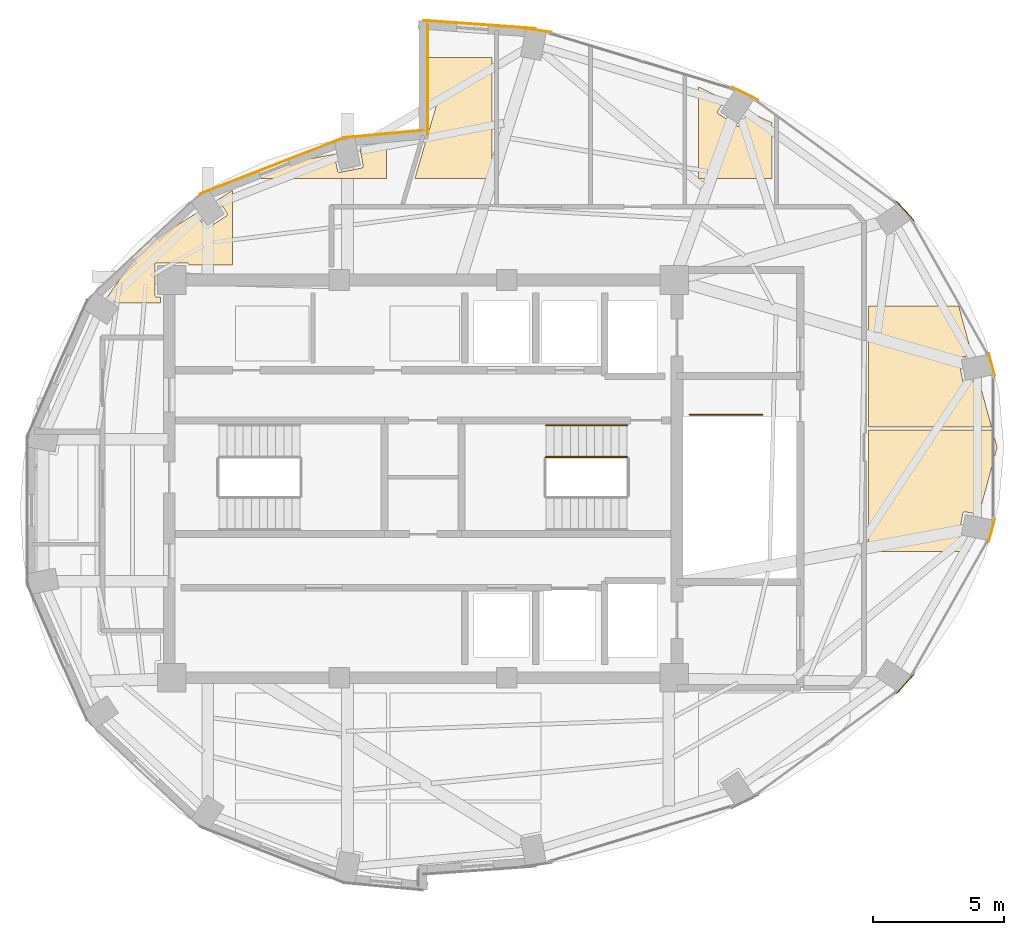
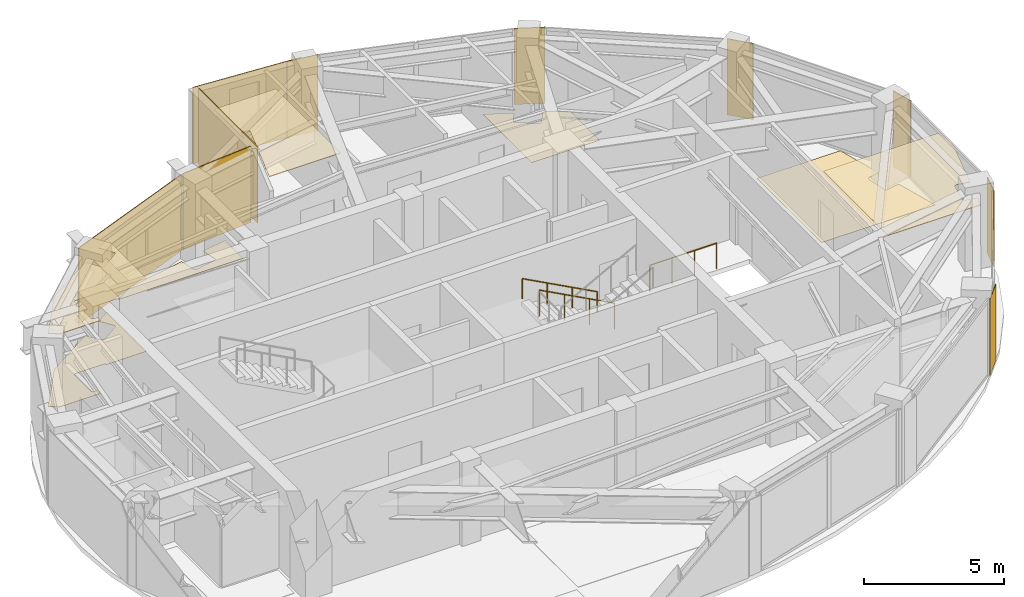
# One storey, part 13 of 13: 17 coverings, 3 railings.
"""IFC4 building model written with IfcOpenShell, lengths in metres."""

from ifc_helpers import new_model, si_unit, direction, frame, origin, origin_2d, place, context, subcontext, project, spatial, polyline, rectangle, circle, outline, extrude, material, layer, layer_set, type_object, element, save


model = new_model("IFC4")

# Units and contexts
model_context = context("Model", 3, precision=1e-05, world=origin(), true_north=direction((0.0, 1.0)))
body_context = subcontext(model_context, "Body", "Model", "MODEL_VIEW")
ifc_project = project(units=[si_unit("LENGTHUNIT", "METRE"), si_unit("AREAUNIT", "SQUARE_METRE"), si_unit("VOLUMEUNIT", "CUBIC_METRE"), si_unit("PLANEANGLEUNIT", "RADIAN"), si_unit("MASSUNIT", "GRAM", prefix="KILO")], contexts=[model_context])

# Site, building, storey
site_placement = place(None, origin())
site = spatial("IfcSite", under=ifc_project, at=site_placement, CompositionType="ELEMENT")
building_placement = place(site_placement, origin())
building = spatial("IfcBuilding", under=site, at=building_placement, Name="Lazwardi Medical Tower", CompositionType="ELEMENT")
storey_placement = place(building_placement, frame((0.0, 0.0, 298.800048828125)))
storey = spatial("IfcBuildingStorey", under=building, at=storey_placement, Name="L78", CompositionType="ELEMENT", Elevation=298.800048828125)

# Coverings
ifc_material_1 = material(Name="Anodised bronze aluminium cassette cladding", Category="aluminium")
ifc_layer_1 = layer(ifc_material_1, 0.030029296875)
ifc_layer_set_1 = layer_set([ifc_layer_1], Name="Anodised bronze aluminium cassette cladding")
covering_type_1 = type_object("IfcCoveringType", Name="COV-CLD-BRZ", PredefinedType="CLADDING", material=ifc_layer_set_1)
covering_1_placement = place(storey_placement, frame((54.42529296875, 20.165283203125, 0.0), z_axis=(0.0, 0.0, 1.0), x_axis=(0.673240970654, 0.739423150458, 0.0)))
element("IfcCovering", 1, at=covering_1_placement, inside=storey, type_object=covering_type_1, Name="L78 Mega-column bronze cassette cover M03", PredefinedType="CLADDING", context=body_context, shape_type="SweptSolid", body=[
    extrude(rectangle(XDim=0.98974609375, YDim=0.030029296875, at=origin_2d()), origin(), (0.0, 0.0, 1.0), 3.327880859375),
])
for number, where, z_axis, x_axis, name in (
    (2, (57.734130859375, 26.02734375, 0.0), (0.0, 0.0, 1.0), (0.261641748247, 0.96516506131, 0.0), "L78 Mega-column bronze cassette cover M04"),
    (3, (57.734130859375, 32.37255859375, 0.0), (0.0, 0.0, 1.0), (-0.261641748247, 0.96516506131, 0.0), "L78 Mega-column bronze cassette cover M05"),
):
    element("IfcCovering", number, at=place(storey_placement, frame(where, z_axis=z_axis, x_axis=x_axis)), inside=storey, type_object=covering_type_1, Name=name, PredefinedType="CLADDING", context=body_context, shape_type="SweptSolid", body=[
        extrude(rectangle(XDim=0.894287109375, YDim=0.030029296875, at=origin_2d()), origin(), (0.0, 0.0, 1.0), 3.327880859375),
    ])
covering_2_placement = place(storey_placement, frame((54.42529296875, 38.234619140625, 0.0), z_axis=(0.0, 0.0, 1.0), x_axis=(-0.673240970654, 0.739423150458, 0.0)))
element("IfcCovering", 4, at=covering_2_placement, inside=storey, type_object=covering_type_1, Name="L78 Mega-column bronze cassette cover M06", PredefinedType="CLADDING", context=body_context, shape_type="SweptSolid", body=[
    extrude(rectangle(XDim=0.98974609375, YDim=0.030029296875, at=origin_2d()), origin(), (0.0, 0.0, 1.0), 3.327880859375),
])
covering_3_placement = place(storey_placement, frame((48.311279296875, 42.721435546875, 0.0), z_axis=(0.0, 0.0, 1.0), x_axis=(-0.897840141691, 0.440321564278, 0.0)))
element("IfcCovering", 5, at=covering_3_placement, inside=storey, type_object=covering_type_1, Name="L78 Mega-column bronze cassette cover M07", PredefinedType="CLADDING", context=body_context, shape_type="SweptSolid", body=[
    extrude(rectangle(XDim=1.110595703125, YDim=0.030029296875, at=origin_2d()), origin(), (0.0, 0.0, 1.0), 3.327880859375),
])
covering_4_placement = place(storey_placement, frame((40.3232421875, 45.1494140625, 0.0), z_axis=(0.0, 0.0, 1.0), x_axis=(-0.989512431533, 0.144447733943, 0.0)))
element("IfcCovering", 6, at=covering_4_placement, inside=storey, type_object=covering_type_1, Name="L78 Mega-column bronze cassette cover M08", PredefinedType="CLADDING", context=body_context, shape_type="SweptSolid", body=[
    extrude(rectangle(XDim=1.188720703125, YDim=0.030029296875, at=origin_2d()), origin(), (0.0, 0.0, 1.0), 3.327880859375),
])
ifc_material_2 = material(Name="Turquoise glazed ceramic tilework cladding", Category="masonry")
ifc_layer_2 = layer(ifc_material_2, 0.034912109375)
ifc_layer_set_2 = layer_set([ifc_layer_2], Name="Turquoise glazed ceramic tilework cladding")
covering_type_2 = type_object("IfcCoveringType", Name="COV-CLD-TRQ", PredefinedType="CLADDING", material=ifc_layer_set_2)
covering_5_placement = place(storey_placement, frame((30.216064453125, 39.956787109375, 0.0), z_axis=(0.0, 0.0, 1.0), x_axis=(-0.931720388261, -0.363176428337, 0.0)))
element("IfcCovering", 7, at=covering_5_placement, inside=storey, type_object=covering_type_2, Name="L78 West drum ceramic/bronze cladding", PredefinedType="CLADDING", context=body_context, shape_type="SweptSolid", body=[
    extrude(rectangle(XDim=5.904052734375, YDim=0.034912109375, at=origin_2d()), origin(), (0.0, 0.0, 1.0), 3.327880859375),
])
covering_6_placement = place(storey_placement, frame((38.16259765625, 45.360107421875, 0.0), z_axis=(0.0, 0.0, 1.0), x_axis=(-0.997409491337, 0.071932653157, 0.0)))
element("IfcCovering", 8, at=covering_6_placement, inside=storey, type_object=covering_type_2, Name="L78 Turquoise glazed ceramic tilework cladding", PredefinedType="CLADDING", context=body_context, shape_type="SweptSolid", body=[
    extrude(rectangle(XDim=4.31103515625, YDim=0.034912109375, at=origin_2d()), origin(), (0.0, 0.0, 1.0), 3.327880859375),
])
covering_7_placement = place(storey_placement, frame((34.4970703125, 41.177001953125, 0.0), z_axis=(0.0, 0.0, 1.0), x_axis=(-0.995733560537, -0.092275004312, 0.0)))
element("IfcCovering", 9, at=covering_7_placement, inside=storey, type_object=covering_type_2, Name="L78 Turquoise glazed ceramic tilework cladding", PredefinedType="CLADDING", context=body_context, shape_type="SweptSolid", body=[
    extrude(rectangle(XDim=2.985595703125, YDim=0.034912109375, at=origin_2d()), origin(), (0.0, 0.0, 1.0), 3.327880859375),
])
covering_8_placement = place(storey_placement, frame((36.175537109375, 43.239990234375, 0.0), z_axis=(0.0, 0.0, 1.0), x_axis=(0.0, -1.0, 0.0)))
element("IfcCovering", 10, at=covering_8_placement, inside=storey, type_object=covering_type_2, Name="L78 Turquoise glazed ceramic tilework iwan panel", PredefinedType="CLADDING", context=body_context, shape_type="SweptSolid", body=[
    extrude(rectangle(XDim=4.199951171875, YDim=0.034912109375, at=origin_2d()), origin(), (0.0, 0.0, 1.0), 3.327880859375),
])
ifc_material_3 = material(Name="Acoustic mineral fibre tile")
ifc_layer_3 = layer(ifc_material_3, 0.02490234375)
ifc_layer_set_3 = layer_set([ifc_layer_3], Name="Acoustic mineral fibre tile")
covering_type_3 = type_object("IfcCoveringType", Name="COV-CLG-01", PredefinedType="CEILING", material=ifc_layer_set_3)
covering_9_placement = place(storey_placement, frame((0.0, 0.0, 3.182861328125)))
element("IfcCovering", 11, at=covering_9_placement, inside=storey, type_object=covering_type_3, Name="L78 Clinical Acoustic Ceiling 3", PredefinedType="CEILING", context=body_context, shape_type="SweptSolid", body=[
    extrude(outline(polyline([(28.7119140625, 39.015380859375), (28.167724609375, 38.67333984375), (28.510009765625, 38.1611328125), (28.51416015625, 38.154541015625), (28.517333984375, 38.1474609375), (28.52001953125, 38.139892578125), (28.52197265625, 38.13232421875), (28.523193359375, 38.12451171875), (28.5234375, 38.11669921875), (28.523193359375, 38.10888671875), (28.52197265625, 38.101318359375), (28.52001953125, 38.093505859375), (28.517333984375, 38.086181640625), (28.51416015625, 38.0791015625), (28.510009765625, 38.072509765625), (28.50537109375, 38.066162109375), (28.5, 38.060302734375), (28.494384765625, 38.054931640625), (28.48779296875, 38.05029296875), (27.78955078125, 37.58349609375), (27.78271484375, 37.57958984375), (27.775634765625, 37.576171875), (27.768310546875, 37.573486328125), (27.7607421875, 37.571533203125), (27.7529296875, 37.570556640625), (27.7451171875, 37.570068359375), (27.7373046875, 37.570556640625), (27.7294921875, 37.571533203125), (27.721923828125, 37.573486328125), (27.714599609375, 37.576171875), (27.70751953125, 37.57958984375), (27.70068359375, 37.58349609375), (27.6943359375, 37.58837890625), (27.6884765625, 37.593505859375), (27.683349609375, 37.599365234375), (27.6787109375, 37.605712890625), (27.32080078125, 38.140869140625), (25.293701171875, 36.866455078125), (23.939697265625, 34.959716796875), (24.288818359375, 34.726318359375), (25.969970703125, 34.726318359375), (25.969970703125, 34.949951171875), (25.830078125, 34.949951171875), (25.822265625, 34.950439453125), (25.814453125, 34.951416015625), (25.806884765625, 34.953369140625), (25.79931640625, 34.9560546875), (25.792236328125, 34.95947265625), (25.78564453125, 34.96337890625), (25.779296875, 34.96826171875), (25.7734375, 34.973388671875), (25.768310546875, 34.979248046875), (25.763427734375, 34.985595703125), (25.759521484375, 34.9921875), (25.756103515625, 34.99951171875), (25.75341796875, 35.0068359375), (25.75146484375, 35.014404296875), (25.75048828125, 35.022216796875), (25.75, 35.030029296875), (25.75, 36.169921875), (25.75048828125, 36.177734375), (25.75146484375, 36.185546875), (25.75341796875, 36.193115234375), (25.756103515625, 36.20068359375), (25.759521484375, 36.207763671875), (25.763427734375, 36.21435546875), (25.768310546875, 36.220703125), (25.7734375, 36.2265625), (25.779296875, 36.231689453125), (25.78564453125, 36.236572265625), (25.792236328125, 36.240478515625), (25.79931640625, 36.243896484375), (25.806884765625, 36.24658203125), (25.814453125, 36.24853515625), (25.822265625, 36.24951171875), (25.830078125, 36.25), (26.969970703125, 36.25), (26.977783203125, 36.24951171875), (26.985595703125, 36.24853515625), (26.9931640625, 36.24658203125), (27.00048828125, 36.243896484375), (27.0078125, 36.240478515625), (27.014404296875, 36.236572265625), (27.020751953125, 36.231689453125), (27.026611328125, 36.2265625), (27.03173828125, 36.220703125), (27.03662109375, 36.21435546875), (27.04052734375, 36.207763671875), (27.0439453125, 36.20068359375), (27.046630859375, 36.193115234375), (27.048583984375, 36.185546875), (27.04931640625, 36.179931640625), (28.7119140625, 36.179931640625), (28.7119140625, 39.015380859375)])), origin(), (0.0, 0.0, 1.0), 0.025146484375),
])
covering_10_placement = place(storey_placement, frame((0.0, 0.0, 3.182861328125)))
element("IfcCovering", 12, at=covering_10_placement, inside=storey, type_object=covering_type_3, Name="L78 Clinical Acoustic Ceiling 7", PredefinedType="CEILING", context=body_context, shape_type="SweptSolid", body=[
    extrude(outline(polyline([(36.080078125, 44.1064453125), (36.080078125, 41.972412109375), (36.18212890625, 42.3173828125), (36.184814453125, 42.324951171875), (36.18798828125, 42.33203125), (36.19189453125, 42.3388671875), (36.196533203125, 42.34521484375), (36.201904296875, 42.35107421875), (36.20751953125, 42.356201171875), (36.2138671875, 42.361083984375), (36.220703125, 42.364990234375), (36.227783203125, 42.368408203125), (36.235107421875, 42.37109375), (36.24267578125, 42.373291015625), (36.25048828125, 42.37451171875), (36.25830078125, 42.374755859375), (36.26611328125, 42.37451171875), (36.27392578125, 42.373291015625), (36.281494140625, 42.37158203125), (36.444580078125, 42.3232421875), (36.451904296875, 42.32080078125), (36.458984375, 42.3173828125), (36.4658203125, 42.3134765625), (36.47216796875, 42.308837890625), (36.47802734375, 42.3037109375), (36.4833984375, 42.2978515625), (36.488037109375, 42.29150390625), (36.4921875, 42.284912109375), (36.49560546875, 42.277587890625), (36.498291015625, 42.2705078125), (36.500244140625, 42.2626953125), (36.50146484375, 42.2548828125), (36.501708984375, 42.247314453125), (36.50146484375, 42.2392578125), (36.50048828125, 42.2314453125), (36.49853515625, 42.223876953125), (35.68603515625, 39.476318359375), (38.635009765625, 39.476318359375), (38.635009765625, 44.1064453125), (36.080078125, 44.1064453125)])), origin(), (0.0, 0.0, 1.0), 0.025146484375),
])
covering_11_placement = place(storey_placement, frame((0.0, 0.0, 3.182861328125)))
element("IfcCovering", 13, at=covering_11_placement, inside=storey, type_object=covering_type_3, Name="L78 Clinical Acoustic Ceiling 9", PredefinedType="CEILING", context=body_context, shape_type="SweptSolid", body=[
    extrude(outline(polyline([(53.02490234375, 29.8564453125), (53.02490234375, 25.226318359375), (56.857421875, 25.226318359375), (56.9775390625, 25.668701171875), (56.5283203125, 25.7578125), (56.520751953125, 25.759765625), (56.513427734375, 25.762451171875), (56.50634765625, 25.765869140625), (56.49951171875, 25.77001953125), (56.4931640625, 25.774658203125), (56.4873046875, 25.77978515625), (56.482177734375, 25.78564453125), (56.4775390625, 25.7919921875), (56.473388671875, 25.798583984375), (56.47021484375, 25.805908203125), (56.46728515625, 25.813232421875), (56.465576171875, 25.82080078125), (56.46435546875, 25.82861328125), (56.464111328125, 25.83642578125), (56.46435546875, 25.84423828125), (56.465576171875, 25.85205078125), (56.62939453125, 26.67578125), (56.63134765625, 26.683349609375), (56.634033203125, 26.69091796875), (56.63720703125, 26.697998046875), (56.641357421875, 26.70458984375), (56.64599609375, 26.7109375), (56.6513671875, 26.716796875), (56.656982421875, 26.721923828125), (56.66357421875, 26.726806640625), (56.670166015625, 26.730712890625), (56.67724609375, 26.734130859375), (56.684814453125, 26.73681640625), (56.6923828125, 26.73876953125), (56.7001953125, 26.73974609375), (56.7080078125, 26.740234375), (56.7158203125, 26.73974609375), (56.723388671875, 26.73876953125), (57.240478515625, 26.635986328125), (57.93701171875, 29.199951171875), (57.7587890625, 29.8564453125), (53.02490234375, 29.8564453125)])), origin(), (0.0, 0.0, 1.0), 0.025146484375),
])
ifc_material_4 = material(Name="Anti-static hospital vinyl sheet flooring")
ifc_layer_4 = layer(ifc_material_4, 0.014892578125)
ifc_layer_set_4 = layer_set([ifc_layer_4], Name="Anti-static hospital vinyl sheet flooring")
covering_type_4 = type_object("IfcCoveringType", Name="COV-FLR-01", PredefinedType="FLOORING", material=ifc_layer_set_4)
covering_12_placement = place(storey_placement, origin())
element("IfcCovering", 14, at=covering_12_placement, inside=storey, type_object=covering_type_4, Name="L78 Clinical Vinyl Flooring 2", PredefinedType="FLOORING", context=body_context, shape_type="SweptSolid", body=[
    extrude(outline(polyline([(28.7119140625, 39.015380859375), (28.167724609375, 38.67333984375), (28.510009765625, 38.1611328125), (28.51416015625, 38.154541015625), (28.517333984375, 38.1474609375), (28.52001953125, 38.139892578125), (28.52197265625, 38.13232421875), (28.523193359375, 38.12451171875), (28.5234375, 38.11669921875), (28.523193359375, 38.10888671875), (28.52197265625, 38.101318359375), (28.52001953125, 38.093505859375), (28.517333984375, 38.086181640625), (28.51416015625, 38.0791015625), (28.510009765625, 38.072509765625), (28.50537109375, 38.066162109375), (28.5, 38.060302734375), (28.494384765625, 38.054931640625), (28.48779296875, 38.05029296875), (27.78955078125, 37.58349609375), (27.78271484375, 37.57958984375), (27.775634765625, 37.576171875), (27.768310546875, 37.573486328125), (27.7607421875, 37.571533203125), (27.7529296875, 37.570556640625), (27.7451171875, 37.570068359375), (27.7373046875, 37.570556640625), (27.7294921875, 37.571533203125), (27.721923828125, 37.573486328125), (27.714599609375, 37.576171875), (27.70751953125, 37.57958984375), (27.70068359375, 37.58349609375), (27.6943359375, 37.58837890625), (27.6884765625, 37.593505859375), (27.683349609375, 37.599365234375), (27.6787109375, 37.605712890625), (27.32080078125, 38.140869140625), (25.293701171875, 36.866455078125), (23.939697265625, 34.959716796875), (24.288818359375, 34.726318359375), (25.969970703125, 34.726318359375), (25.969970703125, 34.949951171875), (25.830078125, 34.949951171875), (25.822265625, 34.950439453125), (25.814453125, 34.951416015625), (25.806884765625, 34.953369140625), (25.79931640625, 34.9560546875), (25.792236328125, 34.95947265625), (25.78564453125, 34.96337890625), (25.779296875, 34.96826171875), (25.7734375, 34.973388671875), (25.768310546875, 34.979248046875), (25.763427734375, 34.985595703125), (25.759521484375, 34.9921875), (25.756103515625, 34.99951171875), (25.75341796875, 35.0068359375), (25.75146484375, 35.014404296875), (25.75048828125, 35.022216796875), (25.75, 35.030029296875), (25.75, 36.169921875), (25.75048828125, 36.177734375), (25.75146484375, 36.185546875), (25.75341796875, 36.193115234375), (25.756103515625, 36.20068359375), (25.759521484375, 36.207763671875), (25.763427734375, 36.21435546875), (25.768310546875, 36.220703125), (25.7734375, 36.2265625), (25.779296875, 36.231689453125), (25.78564453125, 36.236572265625), (25.792236328125, 36.240478515625), (25.79931640625, 36.243896484375), (25.806884765625, 36.24658203125), (25.814453125, 36.24853515625), (25.822265625, 36.24951171875), (25.830078125, 36.25), (26.969970703125, 36.25), (26.977783203125, 36.24951171875), (26.985595703125, 36.24853515625), (26.9931640625, 36.24658203125), (27.00048828125, 36.243896484375), (27.0078125, 36.240478515625), (27.014404296875, 36.236572265625), (27.020751953125, 36.231689453125), (27.026611328125, 36.2265625), (27.03173828125, 36.220703125), (27.03662109375, 36.21435546875), (27.04052734375, 36.207763671875), (27.0439453125, 36.20068359375), (27.046630859375, 36.193115234375), (27.048583984375, 36.185546875), (27.04931640625, 36.179931640625), (28.7119140625, 36.179931640625), (28.7119140625, 39.015380859375)])), origin(), (0.0, 0.0, 1.0), 0.014892578125),
])
covering_13_placement = place(storey_placement, origin())
element("IfcCovering", 15, at=covering_13_placement, inside=storey, type_object=covering_type_4, Name="L78 Clinical Vinyl Flooring 4", PredefinedType="FLOORING", context=body_context, shape_type="SweptSolid", body=[
    extrude(outline(polyline([(34.61181640625, 40.77880859375), (33.591552734375, 40.587890625), (33.71435546875, 39.971435546875), (33.71533203125, 39.963623046875), (33.7158203125, 39.955810546875), (33.71533203125, 39.947998046875), (33.71435546875, 39.940185546875), (33.71240234375, 39.9326171875), (33.709716796875, 39.92529296875), (33.706298828125, 39.918212890625), (33.702392578125, 39.911376953125), (33.697509765625, 39.905029296875), (33.6923828125, 39.899169921875), (33.6865234375, 39.89404296875), (33.68017578125, 39.889404296875), (33.673583984375, 39.88525390625), (33.66650390625, 39.8818359375), (33.658935546875, 39.879150390625), (33.6513671875, 39.877197265625), (32.82763671875, 39.71337890625), (32.81982421875, 39.71240234375), (32.81201171875, 39.7119140625), (32.80419921875, 39.71240234375), (32.79638671875, 39.71337890625), (32.788818359375, 39.71533203125), (32.781494140625, 39.718017578125), (32.7744140625, 39.72119140625), (32.767578125, 39.725341796875), (32.76123046875, 39.72998046875), (32.75537109375, 39.7353515625), (32.750244140625, 39.7412109375), (32.74560546875, 39.74755859375), (32.741455078125, 39.754150390625), (32.738037109375, 39.76123046875), (32.7353515625, 39.768798828125), (32.7333984375, 39.7763671875), (32.608642578125, 40.40380859375), (30.205322265625, 39.9541015625), (29.4453125, 39.476318359375), (34.61181640625, 39.476318359375), (34.61181640625, 40.77880859375)])), origin(), (0.0, 0.0, 1.0), 0.014892578125),
])
covering_14_placement = place(storey_placement, origin())
element("IfcCovering", 16, at=covering_14_placement, inside=storey, type_object=covering_type_4, Name="L78 Clinical Vinyl Flooring 7", PredefinedType="FLOORING", context=body_context, shape_type="SweptSolid", body=[
    extrude(outline(polyline([(49.3349609375, 39.476318359375), (49.3349609375, 41.60302734375), (48.454345703125, 42.03369140625), (48.099365234375, 41.50244140625), (48.094482421875, 41.49609375), (48.08935546875, 41.490234375), (48.08349609375, 41.485107421875), (48.0771484375, 41.480224609375), (48.070556640625, 41.476318359375), (48.0634765625, 41.472900390625), (48.055908203125, 41.47021484375), (48.04833984375, 41.46826171875), (48.04052734375, 41.46728515625), (48.03271484375, 41.466796875), (48.02490234375, 41.46728515625), (48.01708984375, 41.46826171875), (48.009521484375, 41.47021484375), (48.002197265625, 41.472900390625), (47.9951171875, 41.476318359375), (47.98828125, 41.480224609375), (47.2900390625, 41.947021484375), (47.28369140625, 41.95166015625), (47.27783203125, 41.956787109375), (47.272705078125, 41.962646484375), (47.267822265625, 41.968994140625), (47.263916015625, 41.975830078125), (47.260498046875, 41.98291015625), (47.2578125, 41.990234375), (47.255859375, 41.997802734375), (47.2548828125, 42.005615234375), (47.25439453125, 42.013427734375), (47.2548828125, 42.021240234375), (47.255859375, 42.029052734375), (47.2578125, 42.03662109375), (47.260498046875, 42.044189453125), (47.263916015625, 42.05126953125), (47.267822265625, 42.057861328125), (47.5478515625, 42.47705078125), (46.53173828125, 42.97412109375), (46.53173828125, 39.476318359375), (49.3349609375, 39.476318359375)])), origin(), (0.0, 0.0, 1.0), 0.014892578125),
])
covering_15_placement = place(storey_placement, origin())
element("IfcCovering", 17, at=covering_15_placement, inside=storey, type_object=covering_type_4, Name="L78 Clinical Vinyl Flooring 8", PredefinedType="FLOORING", context=body_context, shape_type="SweptSolid", body=[
    extrude(outline(polyline([(53.02490234375, 34.6064453125), (53.02490234375, 29.976318359375), (57.72607421875, 29.976318359375), (57.240478515625, 31.76416015625), (56.723388671875, 31.661376953125), (56.7158203125, 31.66015625), (56.7080078125, 31.659912109375), (56.7001953125, 31.66015625), (56.6923828125, 31.661376953125), (56.684814453125, 31.6630859375), (56.67724609375, 31.666015625), (56.670166015625, 31.669189453125), (56.66357421875, 31.67333984375), (56.656982421875, 31.677978515625), (56.6513671875, 31.68310546875), (56.64599609375, 31.68896484375), (56.641357421875, 31.6953125), (56.63720703125, 31.7021484375), (56.634033203125, 31.709228515625), (56.63134765625, 31.716552734375), (56.62939453125, 31.72412109375), (56.465576171875, 32.548095703125), (56.46435546875, 32.555908203125), (56.464111328125, 32.563720703125), (56.46435546875, 32.5712890625), (56.465576171875, 32.5791015625), (56.46728515625, 32.5869140625), (56.47021484375, 32.59423828125), (56.473388671875, 32.601318359375), (56.4775390625, 32.60791015625), (56.482177734375, 32.6142578125), (56.4873046875, 32.6201171875), (56.4931640625, 32.62548828125), (56.49951171875, 32.630126953125), (56.50634765625, 32.63427734375), (56.513427734375, 32.637451171875), (56.520751953125, 32.64013671875), (56.5283203125, 32.64208984375), (56.9775390625, 32.7314453125), (56.468017578125, 34.6064453125), (53.02490234375, 34.6064453125)])), origin(), (0.0, 0.0, 1.0), 0.014892578125),
])

# Railings
ifc_material_5 = material(Name="Stainless steel Grade 316", Category="steel")
railing_type_1 = type_object("IfcRailingType", Name="RLG-GRD-1150", PredefinedType="GUARDRAIL", material=ifc_material_5)
railing_1_placement = place(storey_placement, frame((43.800048828125, 28.830078125, 0.165771484375)))
element("IfcRailing", 18, at=railing_1_placement, inside=storey, type_object=railing_type_1, Name="L78 ST2 stair guard 1", PredefinedType="GUARDRAIL", context=body_context, shape_type="SweptSolid", body=[
    extrude(circle(Radius=0.02392578125, at=origin_2d()), frame((0.0, 0.0, 1.1259765625), z_axis=(-0.881783298633, 0.0, 0.471654761719), x_axis=(0.0, -1.0, 0.0)), (0.0, 0.0, 1.0), 3.515625),
    extrude(circle(Radius=0.02099609375, at=origin_2d()), origin(), (0.0, 0.0, 1.0), 1.099853515625),
    extrude(circle(Radius=0.02099609375, at=origin_2d()), frame((-1.033447265625, 0.0, 0.552734375)), (0.0, 0.0, 1.0), 1.099853515625),
    extrude(circle(Radius=0.02099609375, at=origin_2d()), frame((-2.066650390625, 0.0, 1.10546875)), (0.0, 0.0, 1.0), 1.099853515625),
    extrude(circle(Radius=0.02099609375, at=origin_2d()), frame((-3.10009765625, 0.0, 1.658203125)), (0.0, 0.0, 1.0), 1.099853515625),
])
railing_2_placement = place(storey_placement, frame((46.199951171875, 30.449951171875, 0.0)))
element("IfcRailing", 19, at=railing_2_placement, inside=storey, type_object=railing_type_1, Name="L78 ST3 top well guard 1", PredefinedType="GUARDRAIL", context=body_context, shape_type="SweptSolid", body=[
    extrude(circle(Radius=0.02392578125, at=origin_2d()), frame((0.0, 0.0, 1.1259765625), z_axis=(1.0, 0.0, 0.0), x_axis=(0.0, 1.0, 0.0)), (0.0, 0.0, 1.0), 2.760009765625),
    extrude(circle(Radius=0.02099609375, at=origin_2d()), origin(), (0.0, 0.0, 1.0), 1.099853515625),
    extrude(circle(Radius=0.02099609375, at=origin_2d()), frame((0.919921875, 0.0, 0.0)), (0.0, 0.0, 1.0), 1.099853515625),
    extrude(circle(Radius=0.02099609375, at=origin_2d()), frame((1.840087890625, 0.0, 0.0)), (0.0, 0.0, 1.0), 1.099853515625),
    extrude(circle(Radius=0.02099609375, at=origin_2d()), frame((2.760009765625, 0.0, 0.0)), (0.0, 0.0, 1.0), 1.099853515625),
])
railing_type_2 = type_object("IfcRailingType", Name="RLG-HND-920", PredefinedType="HANDRAIL", material=ifc_material_5)
railing_3_placement = place(storey_placement, frame((43.800048828125, 30.050048828125, 0.165771484375)))
element("IfcRailing", 20, at=railing_3_placement, inside=storey, type_object=railing_type_2, Name="L78 ST2 stair handrail 1", PredefinedType="HANDRAIL", context=body_context, shape_type="SweptSolid", body=[
    extrude(circle(Radius=0.02392578125, at=origin_2d()), frame((0.0, 0.0, 0.8857421875), z_axis=(-0.881783298633, 0.0, 0.471654761719), x_axis=(0.0, -1.0, 0.0)), (0.0, 0.0, 1.0), 3.515625),
    extrude(circle(Radius=0.02099609375, at=origin_2d()), origin(), (0.0, 0.0, 1.0), 0.85986328125),
    extrude(circle(Radius=0.02099609375, at=origin_2d()), frame((-1.033447265625, 0.0, 0.552734375)), (0.0, 0.0, 1.0), 0.85986328125),
    extrude(circle(Radius=0.02099609375, at=origin_2d()), frame((-2.066650390625, 0.0, 1.10546875)), (0.0, 0.0, 1.0), 0.85986328125),
    extrude(circle(Radius=0.02099609375, at=origin_2d()), frame((-3.10009765625, 0.0, 1.658203125)), (0.0, 0.0, 1.0), 0.85986328125),
])

save(model, "model.ifc")
